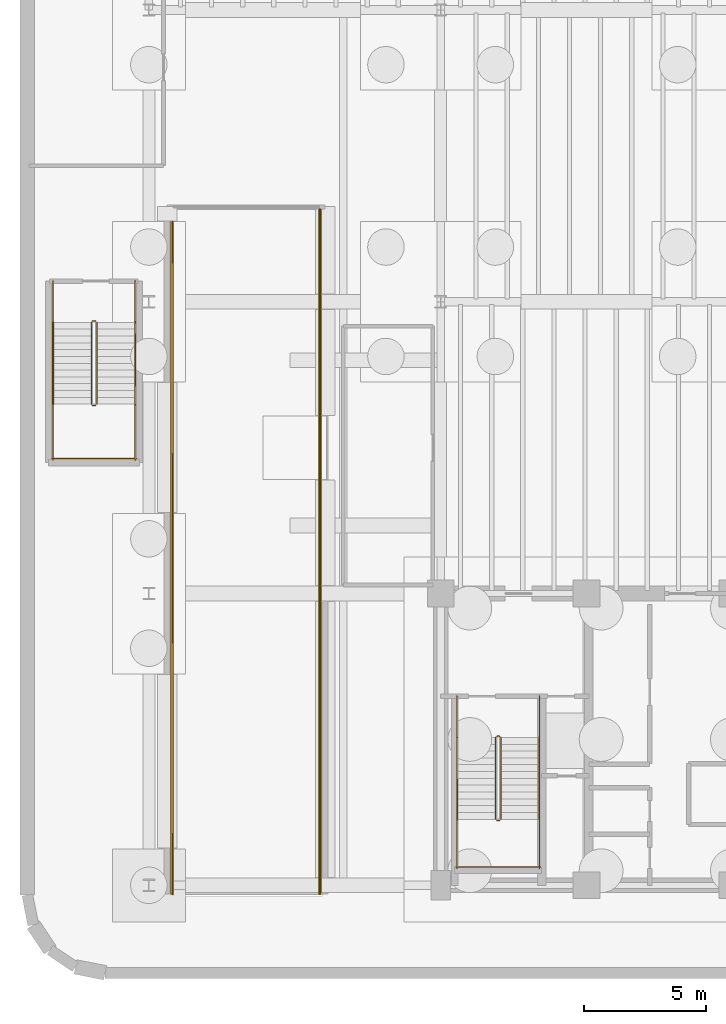
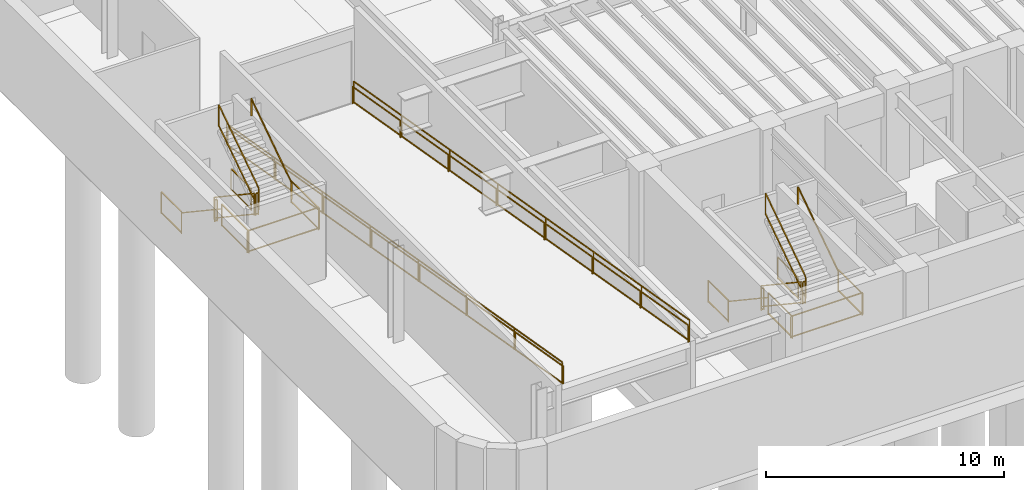
# One storey, part 7 of 9: 26 railings.
"""IFC4 building model written with IfcOpenShell, lengths in metres."""

import ifcopenshell
import ifcopenshell.guid

model = None  # the IFC model being written
_history = None  # IfcOwnerHistory: only IFC2X3 demands one
_inside = {}  # id of a spatial element -> (the spatial element, [elements in it])
_under = {}  # id of a project, library or spatial element -> (it, [spatial elements below it])
_declared = {}  # id of a project -> (the project, [libraries it declares])
_typed = {}  # id of a type object -> (the type object, [elements of that type])
_made_of = {}  # id of a material, layer set ... -> (it, [elements and type objects made of it])


def new_model(schema):
    """Start an empty IFC model of exactly this schema.

    Asked for "IFC4X3", IfcOpenShell would pick the latest addendum, in which some entities
    have other attributes; the version numbers below select the first issue.
    IFC2X3 requires an IfcOwnerHistory on every rooted entity: one is made here for all.
    """
    global model, _history
    if schema == "IFC4X3":
        model = ifcopenshell.file(schema_version=(4, 3, 0, 0))
    else:
        model = ifcopenshell.file(schema=schema)
    _inside.clear()
    _under.clear()
    _declared.clear()
    _typed.clear()
    _made_of.clear()
    _history = None
    if model.schema == "IFC2X3":
        org = make("IfcOrganization", Name="unknown")
        user = make(
            "IfcPersonAndOrganization",
            ThePerson=make("IfcPerson", FamilyName="unknown"),
            TheOrganization=org,
        )
        app = make(
            "IfcApplication",
            ApplicationDeveloper=org,
            Version="unknown",
            ApplicationFullName="unknown",
            ApplicationIdentifier="unknown",
        )
        _history = make(
            "IfcOwnerHistory",
            OwningUser=user,
            OwningApplication=app,
            ChangeAction="ADDED",
            CreationDate=0,
        )
    return model


def make(cls, **values):
    """One entity of the class cls with the attributes given. An attribute that is None is left unset."""
    return model.create_entity(
        cls, **{name: value for name, value in values.items() if value is not None}
    )


def rooted(cls, **values):
    """An entity with a GlobalId (a new one), such as an element, a storey or a relation."""
    return make(cls, GlobalId=ifcopenshell.guid.new(), OwnerHistory=_history, **values)


def si_unit(unit_type, name, prefix=None):
    """IfcSIUnit, for example si_unit("LENGTHUNIT", "METRE", prefix="MILLI")."""
    return make("IfcSIUnit", UnitType=unit_type, Prefix=prefix, Name=name)


def assignment(units):
    """IfcUnitAssignment: the units of a project."""
    return None if units is None else make("IfcUnitAssignment", Units=units)


def point(xyz):
    """IfcCartesianPoint."""
    return None if xyz is None else make("IfcCartesianPoint", Coordinates=xyz)


def direction(xyz):
    """IfcDirection."""
    return None if xyz is None else make("IfcDirection", DirectionRatios=xyz)


def frame(location, z_axis=None, x_axis=None):
    """IfcAxis2Placement3D, a coordinate frame: its origin and axes. An axis left out is left unset."""
    return make(
        "IfcAxis2Placement3D",
        Location=point(location),
        Axis=direction(z_axis),
        RefDirection=direction(x_axis),
    )


def frame_2d(location, x_axis=None):
    """IfcAxis2Placement2D, a coordinate frame in the plane: its origin and x axis."""
    return make(
        "IfcAxis2Placement2D", Location=point(location), RefDirection=direction(x_axis)
    )


def origin():
    """The frame at (0, 0, 0) with its axes left unset."""
    return frame((0.0, 0.0, 0.0))


def origin_2d():
    """The frame at (0, 0) in the plane with its x axis left unset."""
    return frame_2d((0.0, 0.0))


def place(relative_to, where):
    """IfcLocalPlacement: puts the frame where relative to a parent placement (None: the world)."""
    return make(
        "IfcLocalPlacement", PlacementRelTo=relative_to, RelativePlacement=where
    )


def context(
    kind, dimensions, precision=None, world=None, true_north=None, identifier=None
):
    """IfcGeometricRepresentationContext, for example the 3D "Model" context."""
    return make(
        "IfcGeometricRepresentationContext",
        ContextIdentifier=identifier,
        ContextType=kind,
        CoordinateSpaceDimension=dimensions,
        Precision=precision,
        WorldCoordinateSystem=world,
        TrueNorth=true_north,
    )


def subcontext(parent, identifier, kind, view, scale=None):
    """IfcGeometricRepresentationSubContext, for example "Body" below "Model"."""
    return make(
        "IfcGeometricRepresentationSubContext",
        ContextIdentifier=identifier,
        ContextType=kind,
        ParentContext=parent,
        TargetScale=scale,
        TargetView=view,
    )


def project(units=None, contexts=None):
    """IfcProject with its units and contexts."""
    return rooted(
        "IfcProject",
        Name="project",
        RepresentationContexts=contexts,
        UnitsInContext=assignment(units),
    )


def spatial(cls, under=None, at=None, **own):
    """A site, building, storey or space (cls), placed at a placement, below another one or the project."""
    s = rooted(cls, ObjectPlacement=at, **own)
    if under is not None:
        _under.setdefault(under.id(), (under, []))[1].append(s)
    return s


def profile(cls, at=None, kind="AREA", **sizes):
    """A parametric profile (cls). Its sizes go by their IFC names, for example OverallWidth=200.0."""
    return make(cls, ProfileType=kind, Position=at, **sizes)


def rectangle(**sizes):
    """IfcRectangleProfileDef."""
    return profile("IfcRectangleProfileDef", **sizes)


def extrude(swept, where, along, depth):
    """IfcExtrudedAreaSolid: the profile swept, set in the frame where, extruded along a direction by depth."""
    return make(
        "IfcExtrudedAreaSolid",
        SweptArea=swept,
        Position=where,
        ExtrudedDirection=direction(along),
        Depth=depth,
    )


def shape(context_of_items, identifier, shape_type, items):
    """IfcShapeRepresentation: the items that make up one representation, for example the "Body"."""
    return make(
        "IfcShapeRepresentation",
        ContextOfItems=context_of_items,
        RepresentationIdentifier=identifier,
        RepresentationType=shape_type,
        Items=items,
    )


def material(Name=None, Category=None):
    """IfcMaterial."""
    return make("IfcMaterial", Name=Name, Category=Category)


def layer(
    of_material, thickness, ventilated=None, Name=None, Category=None, Priority=None
):
    """IfcMaterialLayer: one layer of a wall or slab, of a material (None: an air gap)."""
    return make(
        "IfcMaterialLayer",
        Material=of_material,
        LayerThickness=thickness,
        IsVentilated=ventilated,
        Name=Name,
        Category=Category,
        Priority=Priority,
    )


def layer_set(layers, Name=None):
    """IfcMaterialLayerSet."""
    return make("IfcMaterialLayerSet", MaterialLayers=layers, LayerSetName=Name)


def made_of(thing, what):
    """Note that an element or type object is made of a material, layer set ...; save() writes the relation."""
    if what is not None:
        _made_of.setdefault(what.id(), (what, []))[1].append(thing)
    return thing


def type_object(cls, material=None, **own):
    """A type object (cls), such as IfcWallType, which elements share."""
    return made_of(rooted(cls, **own), material)


def element(
    cls,
    number,
    at=None,
    inside=None,
    cuts=None,
    type_object=None,
    material=None,
    context=None,
    identifier="Body",
    shape_type=None,
    held_by="IfcProductDefinitionShape",
    body=None,
    shapes=None,
    **own,
):
    """One element of the class cls, such as IfcWall. Its Tag is "e" and its number.

    at: its placement. inside: the storey or other place that contains it. cuts: it is an
    opening in that element (IfcRelVoidsElement). A single representation is given by context,
    identifier, shape_type and body (its items); several are given by shapes. held_by: the class
    of the entity that holds the representations. save() writes the other relations.
    """
    e = rooted(cls, Tag="e%d" % number, ObjectPlacement=at, **own)
    if body is not None:
        shapes = [shape(context, identifier, shape_type, body)]
    if shapes is not None:
        e.Representation = make(held_by, Representations=shapes)
    if inside is not None:
        _inside.setdefault(inside.id(), (inside, []))[1].append(e)
    if cuts is not None:
        rooted(
            "IfcRelVoidsElement", RelatingBuildingElement=cuts, RelatedOpeningElement=e
        )
    if type_object is not None:
        _typed.setdefault(type_object.id(), (type_object, []))[1].append(e)
    return made_of(e, material)


def aggregate(whole, parts):
    """IfcRelAggregates: a whole, such as a stair, and the parts it consists of."""
    return rooted("IfcRelAggregates", RelatingObject=whole, RelatedObjects=parts)


def save(model, path):
    """Write the relations noted so far, then the file.

    IfcRelAggregates (storeys below a building ...), IfcRelContainedInSpatialStructure (elements
    in a storey), IfcRelDefinesByType, IfcRelAssociatesMaterial and IfcRelDeclares: one each for
    every whole, place, type object, material and project.
    """
    for whole, parts in _under.values():
        aggregate(whole, parts)
    for where, things in _inside.values():
        rooted(
            "IfcRelContainedInSpatialStructure",
            RelatedElements=things,
            RelatingStructure=where,
        )
    for kind, things in _typed.values():
        rooted("IfcRelDefinesByType", RelatedObjects=things, RelatingType=kind)
    for what, things in _made_of.values():
        rooted("IfcRelAssociatesMaterial", RelatedObjects=things, RelatingMaterial=what)
    for by, libraries in _declared.values():
        rooted("IfcRelDeclares", RelatingContext=by, RelatedDefinitions=libraries)
    model.write(path)


model = new_model("IFC4")

# Units and contexts
model_context = context("Model", 3, precision=1e-05, world=origin(), true_north=direction((0.0, 1.0)))
body_context = subcontext(model_context, "Body", "Model", "MODEL_VIEW")
ifc_project = project(units=[si_unit("LENGTHUNIT", "METRE"), si_unit("AREAUNIT", "SQUARE_METRE"), si_unit("VOLUMEUNIT", "CUBIC_METRE"), si_unit("PLANEANGLEUNIT", "RADIAN"), si_unit("MASSUNIT", "GRAM", prefix="KILO")], contexts=[model_context])

# Site, building, storey
site_placement = place(None, origin())
site = spatial("IfcSite", under=ifc_project, at=site_placement, CompositionType="ELEMENT")
building_placement = place(site_placement, origin())
building = spatial("IfcBuilding", under=site, at=building_placement, Name="Brelvock Crest Care Tower", CompositionType="ELEMENT")
storey_placement = place(building_placement, frame((0.0, 0.0, -4.860107421875)))
storey = spatial("IfcBuildingStorey", under=building, at=storey_placement, Name="B1", CompositionType="ELEMENT", Elevation=-4.860107421875)

# Railings
ifc_material = material(Name="Steel Grade 350", Category="steel")
ifc_layer_1 = layer(ifc_material, 0.050048828125, Name="RL-STG1")
ifc_layer_set_1 = layer_set([ifc_layer_1], Name="Steel Grade 350")
railing_type_1 = type_object("IfcRailingType", Name="RL-STG1", PredefinedType="GUARDRAIL", material=ifc_layer_set_1)
railing_1_placement = place(storey_placement, frame((26.260009765625, 12.080078125, 0.18701171875)))
element("IfcRailing", 1, at=railing_1_placement, inside=storey, type_object=railing_type_1, Name="B1 ST-1 stair guard 1", PredefinedType="GUARDRAIL", context=body_context, shape_type="SweptSolid", body=[
    extrude(rectangle(XDim=0.048095703125, YDim=0.048095703125, at=origin_2d()), frame((0.0, -0.001708984375, 1.116943359375), z_axis=(0.0, -0.831696843039, 0.555230007545), x_axis=(1.0, 0.0, 0.0)), (0.0, 0.0, 1.0), 4.0361328125),
    extrude(rectangle(XDim=0.048095703125, YDim=0.048095703125, at=origin_2d()), frame((0.0, -0.001708984375, 0.05615234375), z_axis=(0.0, -0.831696843039, 0.555230007545), x_axis=(1.0, 0.0, 0.0)), (0.0, 0.0, 1.0), 4.0361328125),
    extrude(rectangle(XDim=0.0419921875, YDim=0.0419921875, at=origin_2d()), origin(), (0.0, 0.0, 1.0), 1.08984375),
    extrude(rectangle(XDim=0.0419921875, YDim=0.0419921875, at=origin_2d()), frame((0.0, -3.360107421875, 2.2431640625)), (0.0, 0.0, 1.0), 1.08984375),
])
railing_2_placement = place(storey_placement, frame((26.31005859375, 8.669921875, 2.43017578125)))
element("IfcRailing", 2, at=railing_2_placement, inside=storey, type_object=railing_type_1, Name="B1 ST-1 stair guard 2", PredefinedType="GUARDRAIL", context=body_context, shape_type="SweptSolid", body=[
    extrude(rectangle(XDim=0.048095703125, YDim=0.048095703125, at=origin_2d()), frame((0.001953125, 0.0, 1.11572265625), z_axis=(1.0, 0.0, 0.0), x_axis=(0.0, 1.0, 0.0)), (0.0, 0.0, 1.0), 0.115966796875),
    extrude(rectangle(XDim=0.048095703125, YDim=0.048095703125, at=origin_2d()), frame((0.001953125, 0.0, 0.054931640625), z_axis=(1.0, 0.0, 0.0), x_axis=(0.0, 1.0, 0.0)), (0.0, 0.0, 1.0), 0.115966796875),
    extrude(rectangle(XDim=0.0419921875, YDim=0.0419921875, at=origin_2d()), origin(), (0.0, 0.0, 1.0), 1.08984375),
    extrude(rectangle(XDim=0.0419921875, YDim=0.0419921875, at=origin_2d()), frame((0.119873046875, 0.0, 0.0)), (0.0, 0.0, 1.0), 1.08984375),
])
for number, where, name in (
    (3, (24.679931640625, 8.719970703125, 2.43017578125), "B1 ST-1 stair guard 3"),
    (4, (28.06005859375, 8.719970703125, 2.43017578125), "B1 ST-1 stair guard 4"),
):
    element("IfcRailing", number, at=place(storey_placement, frame(where)), inside=storey, type_object=railing_type_1, Name=name, PredefinedType="GUARDRAIL", context=body_context, shape_type="SweptSolid", body=[
        extrude(rectangle(XDim=0.048095703125, YDim=0.048095703125, at=origin_2d()), frame((0.0, -0.001953125, 1.11572265625), z_axis=(0.0, -1.0, 0.0), x_axis=(1.0, 0.0, 0.0)), (0.0, 0.0, 1.0), 2.01611328125),
        extrude(rectangle(XDim=0.048095703125, YDim=0.048095703125, at=origin_2d()), frame((0.0, -0.001953125, 0.054931640625), z_axis=(0.0, -1.0, 0.0), x_axis=(1.0, 0.0, 0.0)), (0.0, 0.0, 1.0), 2.01611328125),
        extrude(rectangle(XDim=0.0419921875, YDim=0.0419921875, at=origin_2d()), origin(), (0.0, 0.0, 1.0), 1.08984375),
        extrude(rectangle(XDim=0.0419921875, YDim=0.0419921875, at=origin_2d()), frame((0.0, -2.02001953125, 0.0)), (0.0, 0.0, 1.0), 1.08984375),
    ])
railing_3_placement = place(storey_placement, frame((24.6298828125, 6.75, 2.43017578125)))
element("IfcRailing", 5, at=railing_3_placement, inside=storey, type_object=railing_type_1, Name="B1 ST-1 stair guard 5", PredefinedType="GUARDRAIL", context=body_context, shape_type="SweptSolid", body=[
    extrude(rectangle(XDim=0.048095703125, YDim=0.048095703125, at=origin_2d()), frame((0.001953125, 0.0, 1.11572265625), z_axis=(1.0, 0.0, 0.0), x_axis=(0.0, 1.0, 0.0)), (0.0, 0.0, 1.0), 3.476318359375),
    extrude(rectangle(XDim=0.048095703125, YDim=0.048095703125, at=origin_2d()), frame((0.001953125, 0.0, 0.054931640625), z_axis=(1.0, 0.0, 0.0), x_axis=(0.0, 1.0, 0.0)), (0.0, 0.0, 1.0), 3.476318359375),
    extrude(rectangle(XDim=0.0419921875, YDim=0.0419921875, at=origin_2d()), origin(), (0.0, 0.0, 1.0), 1.08984375),
    extrude(rectangle(XDim=0.0419921875, YDim=0.0419921875, at=origin_2d()), frame((3.480224609375, 0.0, 0.0)), (0.0, 0.0, 1.0), 1.08984375),
])
railing_4_placement = place(storey_placement, frame((26.47998046875, 8.719970703125, 2.616943359375)))
element("IfcRailing", 6, at=railing_4_placement, inside=storey, type_object=railing_type_1, Name="B1 ST-1 stair guard 6", PredefinedType="GUARDRAIL", context=body_context, shape_type="SweptSolid", body=[
    extrude(rectangle(XDim=0.048095703125, YDim=0.048095703125, at=origin_2d()), frame((0.0, 0.001708984375, 1.116943359375), z_axis=(0.0, 0.831696843039, 0.555230007545), x_axis=(-1.0, 0.0, 0.0)), (0.0, 0.0, 1.0), 4.0361328125),
    extrude(rectangle(XDim=0.048095703125, YDim=0.048095703125, at=origin_2d()), frame((0.0, 0.001708984375, 0.05615234375), z_axis=(0.0, 0.831696843039, 0.555230007545), x_axis=(-1.0, 0.0, 0.0)), (0.0, 0.0, 1.0), 4.0361328125),
    extrude(rectangle(XDim=0.0419921875, YDim=0.0419921875, at=origin_2d()), origin(), (0.0, 0.0, 1.0), 1.08984375),
    extrude(rectangle(XDim=0.0419921875, YDim=0.0419921875, at=origin_2d()), frame((0.0, 3.360107421875, 2.2431640625)), (0.0, 0.0, 1.0), 1.08984375),
])
railing_5_placement = place(storey_placement, frame((26.31005859375, 12.1298828125, 0.0)))
element("IfcRailing", 7, at=railing_5_placement, inside=storey, type_object=railing_type_1, Name="B1 ST-1 stair guard 7", PredefinedType="GUARDRAIL", context=body_context, shape_type="SweptSolid", body=[
    extrude(rectangle(XDim=0.048095703125, YDim=0.048095703125, at=origin_2d()), frame((0.001953125, 0.0, 1.11572265625), z_axis=(1.0, 0.0, 0.0), x_axis=(0.0, 1.0, 0.0)), (0.0, 0.0, 1.0), 0.115966796875),
    extrude(rectangle(XDim=0.048095703125, YDim=0.048095703125, at=origin_2d()), frame((0.001953125, 0.0, 0.054931640625), z_axis=(1.0, 0.0, 0.0), x_axis=(0.0, 1.0, 0.0)), (0.0, 0.0, 1.0), 0.115966796875),
    extrude(rectangle(XDim=0.0419921875, YDim=0.0419921875, at=origin_2d()), origin(), (0.0, 0.0, 1.0), 1.08984375),
    extrude(rectangle(XDim=0.0419921875, YDim=0.0419921875, at=origin_2d()), frame((0.119873046875, 0.0, 0.0)), (0.0, 0.0, 1.0), 1.08984375),
])
for number, where, name in (
    (8, (24.679931640625, 13.780029296875, 0.0), "B1 ST-1 stair guard 8"),
    (9, (28.06005859375, 13.780029296875, 0.0), "B1 ST-1 stair guard 9"),
):
    element("IfcRailing", number, at=place(storey_placement, frame(where)), inside=storey, type_object=railing_type_1, Name=name, PredefinedType="GUARDRAIL", context=body_context, shape_type="SweptSolid", body=[
        extrude(rectangle(XDim=0.048095703125, YDim=0.048095703125, at=origin_2d()), frame((0.0, -0.001953125, 1.11572265625), z_axis=(0.0, -1.0, 0.0), x_axis=(1.0, 0.0, 0.0)), (0.0, 0.0, 1.0), 1.696044921875),
        extrude(rectangle(XDim=0.048095703125, YDim=0.048095703125, at=origin_2d()), frame((0.0, -0.001953125, 0.054931640625), z_axis=(0.0, -1.0, 0.0), x_axis=(1.0, 0.0, 0.0)), (0.0, 0.0, 1.0), 1.696044921875),
        extrude(rectangle(XDim=0.0419921875, YDim=0.0419921875, at=origin_2d()), origin(), (0.0, 0.0, 1.0), 1.08984375),
        extrude(rectangle(XDim=0.0419921875, YDim=0.0419921875, at=origin_2d()), frame((0.0, -1.699951171875, 0.0)), (0.0, 0.0, 1.0), 1.08984375),
    ])
railing_6_placement = place(storey_placement, frame((9.639892578125, 29.14990234375, 0.18701171875)))
element("IfcRailing", 10, at=railing_6_placement, inside=storey, type_object=railing_type_1, Name="B1 ST-3 stair guard 1", PredefinedType="GUARDRAIL", context=body_context, shape_type="SweptSolid", body=[
    extrude(rectangle(XDim=0.048095703125, YDim=0.048095703125, at=origin_2d()), frame((0.0, -0.001708984375, 1.116943359375), z_axis=(0.0, -0.83167821228, 0.555257914143), x_axis=(1.0, 0.0, 0.0)), (0.0, 0.0, 1.0), 4.035888671875),
    extrude(rectangle(XDim=0.048095703125, YDim=0.048095703125, at=origin_2d()), frame((0.0, -0.001708984375, 0.05615234375), z_axis=(0.0, -0.83167821228, 0.555257914143), x_axis=(1.0, 0.0, 0.0)), (0.0, 0.0, 1.0), 4.035888671875),
    extrude(rectangle(XDim=0.0419921875, YDim=0.0419921875, at=origin_2d()), origin(), (0.0, 0.0, 1.0), 1.08984375),
    extrude(rectangle(XDim=0.0419921875, YDim=0.0419921875, at=origin_2d()), frame((0.0, -3.35986328125, 2.2431640625)), (0.0, 0.0, 1.0), 1.08984375),
])
railing_7_placement = place(storey_placement, frame((9.68994140625, 25.739990234375, 2.43017578125)))
element("IfcRailing", 11, at=railing_7_placement, inside=storey, type_object=railing_type_1, Name="B1 ST-3 stair guard 2", PredefinedType="GUARDRAIL", context=body_context, shape_type="SweptSolid", body=[
    extrude(rectangle(XDim=0.048095703125, YDim=0.048095703125, at=origin_2d()), frame((0.001953125, 0.0, 1.11572265625), z_axis=(1.0, 0.0, 0.0), x_axis=(0.0, 1.0, 0.0)), (0.0, 0.0, 1.0), 0.1162109375),
    extrude(rectangle(XDim=0.048095703125, YDim=0.048095703125, at=origin_2d()), frame((0.001953125, 0.0, 0.054931640625), z_axis=(1.0, 0.0, 0.0), x_axis=(0.0, 1.0, 0.0)), (0.0, 0.0, 1.0), 0.1162109375),
    extrude(rectangle(XDim=0.0419921875, YDim=0.0419921875, at=origin_2d()), origin(), (0.0, 0.0, 1.0), 1.08984375),
    extrude(rectangle(XDim=0.0419921875, YDim=0.0419921875, at=origin_2d()), frame((0.1201171875, 0.0, 0.0)), (0.0, 0.0, 1.0), 1.08984375),
])
for number, where, name in (
    (12, (8.06005859375, 25.7900390625, 2.43017578125), "B1 ST-3 stair guard 3"),
    (13, (11.43994140625, 25.7900390625, 2.43017578125), "B1 ST-3 stair guard 4"),
):
    element("IfcRailing", number, at=place(storey_placement, frame(where)), inside=storey, type_object=railing_type_1, Name=name, PredefinedType="GUARDRAIL", context=body_context, shape_type="SweptSolid", body=[
        extrude(rectangle(XDim=0.048095703125, YDim=0.048095703125, at=origin_2d()), frame((0.0, -0.001953125, 1.11572265625), z_axis=(0.0, -1.0, 0.0), x_axis=(1.0, 0.0, 0.0)), (0.0, 0.0, 1.0), 2.2861328125),
        extrude(rectangle(XDim=0.048095703125, YDim=0.048095703125, at=origin_2d()), frame((0.0, -0.001953125, 0.054931640625), z_axis=(0.0, -1.0, 0.0), x_axis=(1.0, 0.0, 0.0)), (0.0, 0.0, 1.0), 2.2861328125),
        extrude(rectangle(XDim=0.0419921875, YDim=0.0419921875, at=origin_2d()), origin(), (0.0, 0.0, 1.0), 1.08984375),
        extrude(rectangle(XDim=0.0419921875, YDim=0.0419921875, at=origin_2d()), frame((0.0, -2.2900390625, 0.0)), (0.0, 0.0, 1.0), 1.08984375),
    ])
railing_8_placement = place(storey_placement, frame((8.010009765625, 23.550048828125, 2.43017578125)))
element("IfcRailing", 14, at=railing_8_placement, inside=storey, type_object=railing_type_1, Name="B1 ST-3 stair guard 5", PredefinedType="GUARDRAIL", context=body_context, shape_type="SweptSolid", body=[
    extrude(rectangle(XDim=0.048095703125, YDim=0.048095703125, at=origin_2d()), frame((0.001953125, 0.0, 1.11572265625), z_axis=(1.0, 0.0, 0.0), x_axis=(0.0, 1.0, 0.0)), (0.0, 0.0, 1.0), 3.47607421875),
    extrude(rectangle(XDim=0.048095703125, YDim=0.048095703125, at=origin_2d()), frame((0.001953125, 0.0, 0.054931640625), z_axis=(1.0, 0.0, 0.0), x_axis=(0.0, 1.0, 0.0)), (0.0, 0.0, 1.0), 3.47607421875),
    extrude(rectangle(XDim=0.0419921875, YDim=0.0419921875, at=origin_2d()), origin(), (0.0, 0.0, 1.0), 1.08984375),
    extrude(rectangle(XDim=0.0419921875, YDim=0.0419921875, at=origin_2d()), frame((3.47998046875, 0.0, 0.0)), (0.0, 0.0, 1.0), 1.08984375),
])
railing_9_placement = place(storey_placement, frame((9.860107421875, 25.7900390625, 2.616943359375)))
element("IfcRailing", 15, at=railing_9_placement, inside=storey, type_object=railing_type_1, Name="B1 ST-3 stair guard 6", PredefinedType="GUARDRAIL", context=body_context, shape_type="SweptSolid", body=[
    extrude(rectangle(XDim=0.048095703125, YDim=0.048095703125, at=origin_2d()), frame((0.0, 0.001708984375, 1.116943359375), z_axis=(0.0, 0.83167821228, 0.555257914143), x_axis=(-1.0, 0.0, 0.0)), (0.0, 0.0, 1.0), 4.035888671875),
    extrude(rectangle(XDim=0.048095703125, YDim=0.048095703125, at=origin_2d()), frame((0.0, 0.001708984375, 0.05615234375), z_axis=(0.0, 0.83167821228, 0.555257914143), x_axis=(-1.0, 0.0, 0.0)), (0.0, 0.0, 1.0), 4.035888671875),
    extrude(rectangle(XDim=0.0419921875, YDim=0.0419921875, at=origin_2d()), origin(), (0.0, 0.0, 1.0), 1.08984375),
    extrude(rectangle(XDim=0.0419921875, YDim=0.0419921875, at=origin_2d()), frame((0.0, 3.35986328125, 2.2431640625)), (0.0, 0.0, 1.0), 1.08984375),
])
railing_10_placement = place(storey_placement, frame((9.68994140625, 29.199951171875, 0.0)))
element("IfcRailing", 16, at=railing_10_placement, inside=storey, type_object=railing_type_1, Name="B1 ST-3 stair guard 7", PredefinedType="GUARDRAIL", context=body_context, shape_type="SweptSolid", body=[
    extrude(rectangle(XDim=0.048095703125, YDim=0.048095703125, at=origin_2d()), frame((0.001953125, 0.0, 1.11572265625), z_axis=(1.0, 0.0, 0.0), x_axis=(0.0, 1.0, 0.0)), (0.0, 0.0, 1.0), 0.1162109375),
    extrude(rectangle(XDim=0.048095703125, YDim=0.048095703125, at=origin_2d()), frame((0.001953125, 0.0, 0.054931640625), z_axis=(1.0, 0.0, 0.0), x_axis=(0.0, 1.0, 0.0)), (0.0, 0.0, 1.0), 0.1162109375),
    extrude(rectangle(XDim=0.0419921875, YDim=0.0419921875, at=origin_2d()), origin(), (0.0, 0.0, 1.0), 1.08984375),
    extrude(rectangle(XDim=0.0419921875, YDim=0.0419921875, at=origin_2d()), frame((0.1201171875, 0.0, 0.0)), (0.0, 0.0, 1.0), 1.08984375),
])
for number, where, name in (
    (17, (8.06005859375, 30.85009765625, 0.0), "B1 ST-3 stair guard 8"),
    (18, (11.43994140625, 30.85009765625, 0.0), "B1 ST-3 stair guard 9"),
):
    element("IfcRailing", number, at=place(storey_placement, frame(where)), inside=storey, type_object=railing_type_1, Name=name, PredefinedType="GUARDRAIL", context=body_context, shape_type="SweptSolid", body=[
        extrude(rectangle(XDim=0.048095703125, YDim=0.048095703125, at=origin_2d()), frame((0.0, -0.001953125, 1.11572265625), z_axis=(0.0, -1.0, 0.0), x_axis=(1.0, 0.0, 0.0)), (0.0, 0.0, 1.0), 1.6962890625),
        extrude(rectangle(XDim=0.048095703125, YDim=0.048095703125, at=origin_2d()), frame((0.0, -0.001953125, 0.054931640625), z_axis=(0.0, -1.0, 0.0), x_axis=(1.0, 0.0, 0.0)), (0.0, 0.0, 1.0), 1.6962890625),
        extrude(rectangle(XDim=0.0419921875, YDim=0.0419921875, at=origin_2d()), origin(), (0.0, 0.0, 1.0), 1.08984375),
        extrude(rectangle(XDim=0.0419921875, YDim=0.0419921875, at=origin_2d()), frame((0.0, -1.7001953125, 0.0)), (0.0, 0.0, 1.0), 1.08984375),
    ])
for number, where, name in (
    (19, (12.919921875, 33.800048828125, 0.0), "Car Park Ramp Guard W"),
    (20, (19.080078125, 33.800048828125, 0.0), "Car Park Ramp Guard E"),
):
    element("IfcRailing", number, at=place(storey_placement, frame(where)), inside=storey, type_object=railing_type_1, Name=name, PredefinedType="GUARDRAIL", context=body_context, shape_type="SweptSolid", body=[
        extrude(rectangle(XDim=0.048095703125, YDim=0.048095703125, at=origin_2d()), frame((0.0, -0.001953125, 1.1162109375), z_axis=(0.0, -0.985431344069, 0.170073707921), x_axis=(1.0, 0.0, 0.0)), (0.0, 0.0, 1.0), 28.572509765625),
        extrude(rectangle(XDim=0.048095703125, YDim=0.048095703125, at=origin_2d()), frame((0.0, -0.001953125, 0.055419921875), z_axis=(0.0, -0.985431344069, 0.170073707921), x_axis=(1.0, 0.0, 0.0)), (0.0, 0.0, 1.0), 28.572509765625),
        extrude(rectangle(XDim=0.0419921875, YDim=0.0419921875, at=origin_2d()), origin(), (0.0, 0.0, 1.0), 1.08984375),
        extrude(rectangle(XDim=0.0419921875, YDim=0.0419921875, at=origin_2d()), frame((0.0, -4.02294921875, 0.6943359375)), (0.0, 0.0, 1.0), 1.08984375),
        extrude(rectangle(XDim=0.0419921875, YDim=0.0419921875, at=origin_2d()), frame((0.0, -8.045654296875, 1.388671875)), (0.0, 0.0, 1.0), 1.08984375),
        extrude(rectangle(XDim=0.0419921875, YDim=0.0419921875, at=origin_2d()), frame((0.0, -12.068603515625, 2.0830078125)), (0.0, 0.0, 1.0), 1.08984375),
        extrude(rectangle(XDim=0.0419921875, YDim=0.0419921875, at=origin_2d()), frame((0.0, -16.091552734375, 2.777099609375)), (0.0, 0.0, 1.0), 1.08984375),
        extrude(rectangle(XDim=0.0419921875, YDim=0.0419921875, at=origin_2d()), frame((0.0, -20.114501953125, 3.471435546875)), (0.0, 0.0, 1.0), 1.08984375),
        extrude(rectangle(XDim=0.0419921875, YDim=0.0419921875, at=origin_2d()), frame((0.0, -24.13720703125, 4.165771484375)), (0.0, 0.0, 1.0), 1.08984375),
        extrude(rectangle(XDim=0.0419921875, YDim=0.0419921875, at=origin_2d()), frame((0.0, -28.16015625, 4.860107421875)), (0.0, 0.0, 1.0), 1.08984375),
    ])
ifc_layer_2 = layer(ifc_material, 0.048095703125, Name="RL-STH1")
ifc_layer_set_2 = layer_set([ifc_layer_2], Name="Steel Grade 350")
railing_type_2 = type_object("IfcRailingType", Name="RL-STH1", PredefinedType="HANDRAIL", material=ifc_layer_set_2)
railing_11_placement = place(storey_placement, frame((24.679931640625, 12.080078125, 0.18701171875)))
element("IfcRailing", 21, at=railing_11_placement, inside=storey, type_object=railing_type_2, Name="B1 ST-1 stair handrail 1", PredefinedType="HANDRAIL", context=body_context, shape_type="SweptSolid", body=[
    extrude(rectangle(XDim=0.048095703125, YDim=0.048095703125, at=origin_2d()), frame((0.0, -0.001708984375, 0.876953125), z_axis=(0.0, -0.831696843039, 0.555230007545), x_axis=(1.0, 0.0, 0.0)), (0.0, 0.0, 1.0), 4.0361328125),
    extrude(rectangle(XDim=0.0419921875, YDim=0.0419921875, at=origin_2d()), origin(), (0.0, 0.0, 1.0), 0.849853515625),
    extrude(rectangle(XDim=0.0419921875, YDim=0.0419921875, at=origin_2d()), frame((0.0, -3.360107421875, 2.2431640625)), (0.0, 0.0, 1.0), 0.849853515625),
])
railing_12_placement = place(storey_placement, frame((28.06005859375, 8.719970703125, 2.616943359375)))
element("IfcRailing", 22, at=railing_12_placement, inside=storey, type_object=railing_type_2, Name="B1 ST-1 stair handrail 2", PredefinedType="HANDRAIL", context=body_context, shape_type="SweptSolid", body=[
    extrude(rectangle(XDim=0.048095703125, YDim=0.048095703125, at=origin_2d()), frame((0.0, 0.001708984375, 0.876953125), z_axis=(0.0, 0.831696843039, 0.555230007545), x_axis=(-1.0, 0.0, 0.0)), (0.0, 0.0, 1.0), 4.0361328125),
    extrude(rectangle(XDim=0.0419921875, YDim=0.0419921875, at=origin_2d()), origin(), (0.0, 0.0, 1.0), 0.849853515625),
    extrude(rectangle(XDim=0.0419921875, YDim=0.0419921875, at=origin_2d()), frame((0.0, 3.360107421875, 2.2431640625)), (0.0, 0.0, 1.0), 0.849853515625),
])
railing_13_placement = place(storey_placement, frame((8.06005859375, 29.14990234375, 0.18701171875)))
element("IfcRailing", 23, at=railing_13_placement, inside=storey, type_object=railing_type_2, Name="B1 ST-3 stair handrail 1", PredefinedType="HANDRAIL", context=body_context, shape_type="SweptSolid", body=[
    extrude(rectangle(XDim=0.048095703125, YDim=0.048095703125, at=origin_2d()), frame((0.0, -0.001708984375, 0.876953125), z_axis=(0.0, -0.83167821228, 0.555257914143), x_axis=(1.0, 0.0, 0.0)), (0.0, 0.0, 1.0), 4.035888671875),
    extrude(rectangle(XDim=0.0419921875, YDim=0.0419921875, at=origin_2d()), origin(), (0.0, 0.0, 1.0), 0.849853515625),
    extrude(rectangle(XDim=0.0419921875, YDim=0.0419921875, at=origin_2d()), frame((0.0, -3.35986328125, 2.2431640625)), (0.0, 0.0, 1.0), 0.849853515625),
])
railing_14_placement = place(storey_placement, frame((11.43994140625, 25.7900390625, 2.616943359375)))
element("IfcRailing", 24, at=railing_14_placement, inside=storey, type_object=railing_type_2, Name="B1 ST-3 stair handrail 2", PredefinedType="HANDRAIL", context=body_context, shape_type="SweptSolid", body=[
    extrude(rectangle(XDim=0.048095703125, YDim=0.048095703125, at=origin_2d()), frame((0.0, 0.001708984375, 0.876953125), z_axis=(0.0, 0.83167821228, 0.555257914143), x_axis=(-1.0, 0.0, 0.0)), (0.0, 0.0, 1.0), 4.035888671875),
    extrude(rectangle(XDim=0.0419921875, YDim=0.0419921875, at=origin_2d()), origin(), (0.0, 0.0, 1.0), 0.849853515625),
    extrude(rectangle(XDim=0.0419921875, YDim=0.0419921875, at=origin_2d()), frame((0.0, 3.35986328125, 2.2431640625)), (0.0, 0.0, 1.0), 0.849853515625),
])
for number, where, name in (
    (25, (12.97998046875, 33.800048828125, 0.0), "Car Park Ramp Handrail W"),
    (26, (19.02001953125, 33.800048828125, 0.0), "Car Park Ramp Handrail E"),
):
    element("IfcRailing", number, at=place(storey_placement, frame(where)), inside=storey, type_object=railing_type_2, Name=name, PredefinedType="HANDRAIL", context=body_context, shape_type="SweptSolid", body=[
        extrude(rectangle(XDim=0.048095703125, YDim=0.048095703125, at=origin_2d()), frame((0.0, -0.001953125, 0.876220703125), z_axis=(0.0, -0.985431344069, 0.170073707921), x_axis=(1.0, 0.0, 0.0)), (0.0, 0.0, 1.0), 28.572509765625),
        extrude(rectangle(XDim=0.0419921875, YDim=0.0419921875, at=origin_2d()), origin(), (0.0, 0.0, 1.0), 0.849853515625),
        extrude(rectangle(XDim=0.0419921875, YDim=0.0419921875, at=origin_2d()), frame((0.0, -4.02294921875, 0.6943359375)), (0.0, 0.0, 1.0), 0.849853515625),
        extrude(rectangle(XDim=0.0419921875, YDim=0.0419921875, at=origin_2d()), frame((0.0, -8.045654296875, 1.388671875)), (0.0, 0.0, 1.0), 0.849853515625),
        extrude(rectangle(XDim=0.0419921875, YDim=0.0419921875, at=origin_2d()), frame((0.0, -12.068603515625, 2.0830078125)), (0.0, 0.0, 1.0), 0.849853515625),
        extrude(rectangle(XDim=0.0419921875, YDim=0.0419921875, at=origin_2d()), frame((0.0, -16.091552734375, 2.777099609375)), (0.0, 0.0, 1.0), 0.849853515625),
        extrude(rectangle(XDim=0.0419921875, YDim=0.0419921875, at=origin_2d()), frame((0.0, -20.114501953125, 3.471435546875)), (0.0, 0.0, 1.0), 0.849853515625),
        extrude(rectangle(XDim=0.0419921875, YDim=0.0419921875, at=origin_2d()), frame((0.0, -24.13720703125, 4.165771484375)), (0.0, 0.0, 1.0), 0.849853515625),
        extrude(rectangle(XDim=0.0419921875, YDim=0.0419921875, at=origin_2d()), frame((0.0, -28.16015625, 4.860107421875)), (0.0, 0.0, 1.0), 0.849853515625),
    ])

save(model, "model.ifc")
